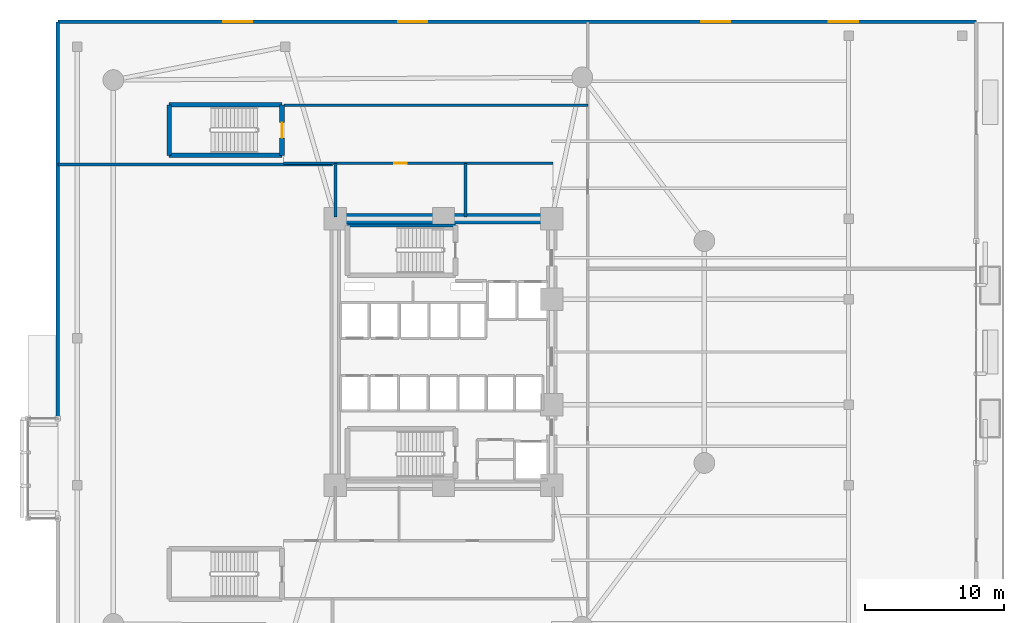
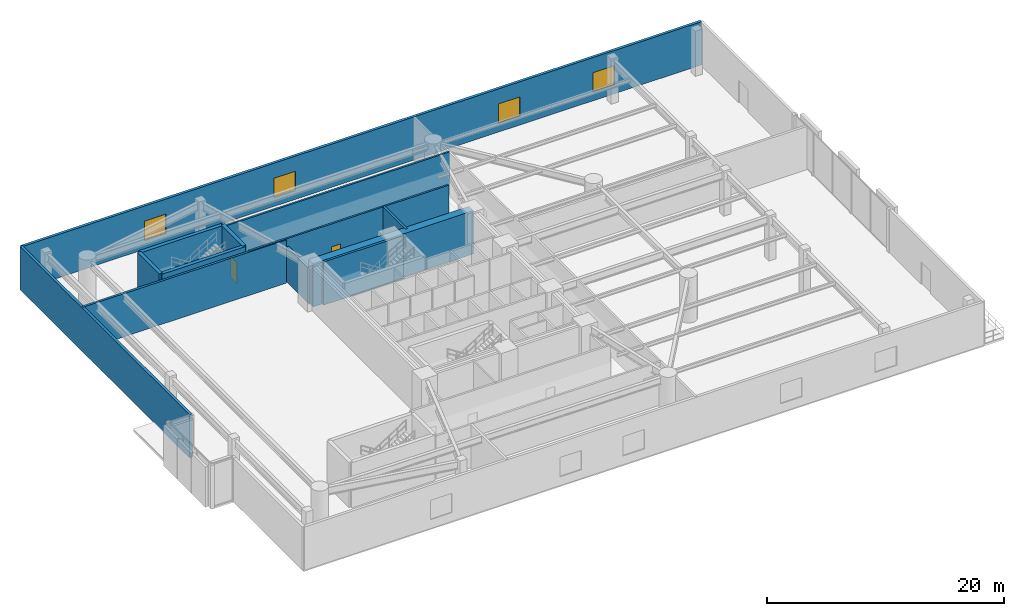
# One storey, part 11 of 15: 13 walls, 4 windows, 2 doors, 6 openings.
"""IFC4 building model written with IfcOpenShell, lengths in metres."""

from ifc_helpers import new_model, si_unit, direction, frame, frame_2d, origin, place, context, subcontext, project, spatial, rectangle, extrude, material, layer, layer_set, type_object, element, fill, save


model = new_model("IFC4")

# Units and contexts
model_context = context("Model", 3, precision=1e-05, world=origin(), true_north=direction((0.0, 1.0)))
body_context = subcontext(model_context, "Body", "Model", "MODEL_VIEW")
ifc_project = project(units=[si_unit("LENGTHUNIT", "METRE"), si_unit("AREAUNIT", "SQUARE_METRE"), si_unit("VOLUMEUNIT", "CUBIC_METRE"), si_unit("PLANEANGLEUNIT", "RADIAN"), si_unit("MASSUNIT", "GRAM", prefix="KILO")], contexts=[model_context])

# Site, building, storey
site_placement = place(None, origin())
site = spatial("IfcSite", under=ifc_project, at=site_placement, CompositionType="ELEMENT")
building_placement = place(site_placement, origin())
building = spatial("IfcBuilding", under=site, at=building_placement, Name="An Khanh Terracotta Commons", CompositionType="ELEMENT")
storey_placement = place(building_placement, frame((0.0, 0.0, 14.699951171875)))
storey = spatial("IfcBuildingStorey", under=building, at=storey_placement, Name="L04", CompositionType="ELEMENT", Elevation=14.699951171875)

# Wall
ifc_material_1 = material(Name="Concrete C70/85", Category="concrete")
ifc_layer_1 = layer(ifc_material_1, 0.75, Name="Concrete C70/85")
ifc_layer_set_1 = layer_set([ifc_layer_1], Name="Concrete C70/85")
wall_type_1 = type_object("IfcWallType", Name="WALL-CORE-750", PredefinedType="SHEAR", material=ifc_layer_set_1)
wall_1_placement = place(storey_placement, frame((21.60009765625, 33.60009765625, 0.0), z_axis=(0.0, 0.0, 1.0), x_axis=(1.0, 0.0, 0.0)))
element("IfcWall", 1, at=wall_1_placement, inside=storey, type_object=wall_type_1, Name="L04 Core Wall CWALL-L04-N", PredefinedType="SHEAR", context=body_context, shape_type="SweptSolid", body=[
    extrude(rectangle(XDim=15.599853515625, YDim=0.75, at=frame_2d((7.7998046875, 0.0))), origin(), (0.0, 0.0, 1.0), 4.449951171875),
])

# Wall, opening, door
ifc_material_2 = material(Name="Fire-Rated Gypsum Board on Steel Stud", Category="steel")
ifc_layer_2 = layer(ifc_material_2, 0.179931640625, Name="Fire-Rated Gypsum Board on Steel Stud")
ifc_layer_set_2 = layer_set([ifc_layer_2], Name="Fire-Rated Gypsum Board on Steel Stud")
wall_type_2 = type_object("IfcWallType", Name="WALL-CORR-180", PredefinedType="PARTITIONING", material=ifc_layer_set_2)
wall_2_placement = place(storey_placement, frame((17.85009765625, 37.60009765625, 0.0), z_axis=(0.0, 0.0, 1.0), x_axis=(1.0, 0.0, 0.0)))
wall_2 = element("IfcWall", 2, at=wall_2_placement, inside=storey, type_object=wall_type_2, Name="L04 Interior Partition IW-L04-E005", PredefinedType="PARTITIONING", context=body_context, shape_type="SweptSolid", body=[
    extrude(rectangle(XDim=19.449951171875, YDim=0.179931640625, at=frame_2d((9.72509765625, 0.0))), origin(), (0.0, 0.0, 1.0), 4.449951171875),
])
opening_1_placement = place(wall_2_placement, frame((7.989990234375, 0.0, 0.0)))
opening_1 = element("IfcOpeningElement", 3, at=opening_1_placement, cuts=wall_2, Name="Opening D-RM", PredefinedType="OPENING", context=body_context, shape_type="SweptSolid", body=[
    extrude(rectangle(XDim=0.919921875, YDim=2.10009765625, at=frame_2d((0.4599609375, 1.050048828125))), frame((0.0, 0.099853515625, 0.0), z_axis=(0.0, -1.0, 0.0), x_axis=(1.0, 0.0, 0.0)), (0.0, 0.0, 1.0), 0.199951171875),
])
ifc_material_3 = material(Name="Engineered Hardwood Timber Leaf", Category="wood")
door_type_1 = type_object("IfcDoorType", Name="DOOR-INT-920", OperationType="NOTDEFINED", PredefinedType="DOOR", material=ifc_material_3)
door_1_placement = place(opening_1_placement, origin())
door_1 = element("IfcDoor", 4, at=door_1_placement, inside=storey, type_object=door_type_1, Name="L04 STR Podium Equipment and Copy Store Door", OperationType="SINGLE_SWING_LEFT", OverallHeight=2.10009765625, OverallWidth=0.919921875, PredefinedType="DOOR", context=body_context, shape_type="SweptSolid", body=[
    extrude(rectangle(XDim=0.919921875, YDim=2.10009765625, at=frame_2d((0.4599609375, 1.050048828125))), frame((0.0, 0.02490234375, 0.0), z_axis=(0.0, -1.0, 0.0), x_axis=(1.0, 0.0, 0.0)), (0.0, 0.0, 1.0), 0.050048828125),
])
fill(opening_1, door_1)

# Walls
wall_3_placement = place(storey_placement, frame((17.889892578125, 41.800048828125, 0.0), z_axis=(0.0, 0.0, 1.0), x_axis=(1.0, 0.0, 0.0)))
element("IfcWall", 5, at=wall_3_placement, inside=storey, type_object=wall_type_2, Name="L04 Interior Partition IW-L04-E006", PredefinedType="PARTITIONING", context=body_context, shape_type="SweptSolid", body=[
    extrude(rectangle(XDim=21.91015625, YDim=0.179931640625, at=frame_2d((10.955078125, 0.0))), origin(), (0.0, 0.0, 1.0), 4.449951171875),
])
ifc_material_4 = material(Name="Acoustic Double-Stud Gypsum and Mineral Wool")
ifc_layer_3 = layer(ifc_material_4, 0.219970703125, Name="Acoustic Double-Stud Gypsum and Mineral Wool")
ifc_layer_set_3 = layer_set([ifc_layer_3], Name="Acoustic Double-Stud Gypsum and Mineral Wool")
wall_type_3 = type_object("IfcWallType", Name="WALL-PARTY-220", PredefinedType="PARTITIONING", material=ifc_layer_set_3)
wall_4_placement = place(storey_placement, frame((22.47998046875, 33.110107421875, 0.0), z_axis=(0.0, 0.0, 1.0), x_axis=(1.0, 0.0, 0.0)))
element("IfcWall", 6, at=wall_4_placement, inside=storey, type_object=wall_type_3, Name="L04 Core Wall STW-L04-N-N", PredefinedType="PARTITIONING", context=body_context, shape_type="SweptSolid", body=[
    extrude(rectangle(XDim=7.7900390625, YDim=0.219970703125, at=frame_2d((3.89501953125, 0.0))), origin(), (0.0, 0.0, 1.0), 4.449951171875),
])
wall_5_placement = place(storey_placement, frame((1.60009765625, 37.5, 0.0), z_axis=(0.0, 0.0, 1.0), x_axis=(1.0, 0.0, 0.0)))
element("IfcWall", 7, at=wall_5_placement, inside=storey, type_object=wall_type_3, Name="L04 Interior Partition IW-L04-E004", PredefinedType="PARTITIONING", context=body_context, shape_type="SweptSolid", body=[
    extrude(rectangle(XDim=19.7998046875, YDim=0.219970703125, at=frame_2d((9.89990234375, 0.0))), origin(), (0.0, 0.0, 1.0), 4.449951171875),
])
wall_6_placement = place(storey_placement, frame((21.60009765625, 33.719970703125, 0.0), z_axis=(0.0, 0.0, 1.0), x_axis=(0.0, 1.0, 0.0)))
element("IfcWall", 8, at=wall_6_placement, inside=storey, type_object=wall_type_3, Name="L04 Interior Partition IW-L04-E009", PredefinedType="PARTITIONING", context=body_context, shape_type="SweptSolid", body=[
    extrude(rectangle(XDim=3.880126953125, YDim=0.219970703125, at=frame_2d((1.93994140625, 0.0))), origin(), (0.0, 0.0, 1.0), 3.632080078125),
])
wall_7_placement = place(storey_placement, frame((31.0, 33.719970703125, 0.0), z_axis=(0.0, 0.0, 1.0), x_axis=(0.0, 1.0, 0.0)))
element("IfcWall", 9, at=wall_7_placement, inside=storey, type_object=wall_type_3, Name="L04 Interior Partition IW-L04-E011", PredefinedType="PARTITIONING", context=body_context, shape_type="SweptSolid", body=[
    extrude(rectangle(XDim=3.880126953125, YDim=0.219970703125, at=frame_2d((1.93994140625, 0.0))), origin(), (0.0, 0.0, 1.0), 4.449951171875),
])

# Wall, openings, windows
ifc_material_5 = material(Name="Concrete C40/50", Category="concrete")
ifc_layer_4 = layer(ifc_material_5, 0.260009765625, Name="Concrete C40/50")
ifc_layer_set_4 = layer_set([ifc_layer_4], Name="Concrete C40/50")
wall_type_4 = type_object("IfcWallType", Name="WALL-POD-260", PredefinedType="SOLIDWALL", material=ifc_layer_set_4)
wall_8_placement = place(storey_placement, frame((1.60009765625, 47.800048828125, 0.0), z_axis=(0.0, 0.0, 1.0), x_axis=(1.0, 0.0, 0.0)))
wall_8 = element("IfcWall", 10, at=wall_8_placement, inside=storey, type_object=wall_type_4, Name="L04 North Exterior Wall", PredefinedType="SOLIDWALL", context=body_context, shape_type="SweptSolid", body=[
    extrude(rectangle(XDim=66.199951171875, YDim=0.260009765625, at=frame_2d((33.10009765625, 0.0))), origin(), (0.0, 0.0, 1.0), 4.449951171875),
])
opening_2_placement = place(wall_8_placement, frame((11.9169921875, 0.0, 0.89990234375)))
opening_2 = element("IfcOpeningElement", 11, at=opening_2_placement, cuts=wall_8, Name="Opening W-09", PredefinedType="OPENING", context=body_context, shape_type="SweptSolid", body=[
    extrude(rectangle(XDim=2.10009765625, YDim=2.0, at=frame_2d((1.050048828125, 1.0))), frame((0.0, 0.139892578125, 0.0), z_axis=(0.0, -1.0, 0.0), x_axis=(1.0, 0.0, 0.0)), (0.0, 0.0, 1.0), 0.280029296875),
])
opening_3_placement = place(wall_8_placement, frame((24.532958984375, 0.0, 0.89990234375)))
opening_3 = element("IfcOpeningElement", 12, at=opening_3_placement, cuts=wall_8, Name="Opening W-09", PredefinedType="OPENING", context=body_context, shape_type="SweptSolid", body=[
    extrude(rectangle(XDim=2.10009765625, YDim=2.0, at=frame_2d((1.050048828125, 1.0))), frame((0.0, 0.139892578125, 0.0), z_axis=(0.0, -1.0, 0.0), x_axis=(1.0, 0.0, 0.0)), (0.0, 0.0, 1.0), 0.280029296875),
])
opening_4_placement = place(wall_8_placement, frame((46.366943359375, 0.0, 0.89990234375)))
opening_4 = element("IfcOpeningElement", 13, at=opening_4_placement, cuts=wall_8, Name="Opening W-09", PredefinedType="OPENING", context=body_context, shape_type="SweptSolid", body=[
    extrude(rectangle(XDim=2.10009765625, YDim=2.0, at=frame_2d((1.050048828125, 1.0))), frame((0.0, 0.139892578125, 0.0), z_axis=(0.0, -1.0, 0.0), x_axis=(1.0, 0.0, 0.0)), (0.0, 0.0, 1.0), 0.280029296875),
])
opening_5_placement = place(wall_8_placement, frame((55.5830078125, 0.0, 0.89990234375)))
opening_5 = element("IfcOpeningElement", 14, at=opening_5_placement, cuts=wall_8, Name="Opening W-09", PredefinedType="OPENING", context=body_context, shape_type="SweptSolid", body=[
    extrude(rectangle(XDim=2.10009765625, YDim=2.0, at=frame_2d((1.050048828125, 1.0))), frame((0.0, 0.139892578125, 0.0), z_axis=(0.0, -1.0, 0.0), x_axis=(1.0, 0.0, 0.0)), (0.0, 0.0, 1.0), 0.280029296875),
])
ifc_material_6 = material(Name="Thermally Broken Aluminium and Low-E Glass", Category="aluminium")
window_type = type_object("IfcWindowType", Name="WIN-POD-2100x2000", PartitioningType="DOUBLE_PANEL_VERTICAL", PredefinedType="WINDOW", material=ifc_material_6)
window_1_placement = place(opening_2_placement, origin())
window_1 = element("IfcWindow", 15, at=window_1_placement, inside=storey, type_object=window_type, Name="L04 North Podium Window 1", OverallHeight=2.0, OverallWidth=2.10009765625, PartitioningType="DOUBLE_PANEL_VERTICAL", PredefinedType="WINDOW", context=body_context, shape_type="SweptSolid", body=[
    extrude(rectangle(XDim=2.10009765625, YDim=2.0, at=frame_2d((1.050048828125, 1.0))), frame((0.0, 0.030029296875, 0.0), z_axis=(0.0, -1.0, 0.0), x_axis=(1.0, 0.0, 0.0)), (0.0, 0.0, 1.0), 0.06005859375),
])
fill(opening_2, window_1)
window_2_placement = place(opening_3_placement, origin())
window_2 = element("IfcWindow", 16, at=window_2_placement, inside=storey, type_object=window_type, Name="L04 North Podium Window 2", OverallHeight=2.0, OverallWidth=2.10009765625, PartitioningType="DOUBLE_PANEL_VERTICAL", PredefinedType="WINDOW", context=body_context, shape_type="SweptSolid", body=[
    extrude(rectangle(XDim=2.10009765625, YDim=2.0, at=frame_2d((1.050048828125, 1.0))), frame((0.0, 0.030029296875, 0.0), z_axis=(0.0, -1.0, 0.0), x_axis=(1.0, 0.0, 0.0)), (0.0, 0.0, 1.0), 0.06005859375),
])
fill(opening_3, window_2)
window_3_placement = place(opening_4_placement, origin())
window_3 = element("IfcWindow", 17, at=window_3_placement, inside=storey, type_object=window_type, Name="L04 North Podium Window 3", OverallHeight=2.0, OverallWidth=2.10009765625, PartitioningType="DOUBLE_PANEL_VERTICAL", PredefinedType="WINDOW", context=body_context, shape_type="SweptSolid", body=[
    extrude(rectangle(XDim=2.10009765625, YDim=2.0, at=frame_2d((1.050048828125, 1.0))), frame((0.0, 0.030029296875, 0.0), z_axis=(0.0, -1.0, 0.0), x_axis=(1.0, 0.0, 0.0)), (0.0, 0.0, 1.0), 0.06005859375),
])
fill(opening_4, window_3)
window_4_placement = place(opening_5_placement, origin())
window_4 = element("IfcWindow", 18, at=window_4_placement, inside=storey, type_object=window_type, Name="L04 North Podium Window 4", OverallHeight=2.0, OverallWidth=2.10009765625, PartitioningType="DOUBLE_PANEL_VERTICAL", PredefinedType="WINDOW", context=body_context, shape_type="SweptSolid", body=[
    extrude(rectangle(XDim=2.10009765625, YDim=2.0, at=frame_2d((1.050048828125, 1.0))), frame((0.0, 0.030029296875, 0.0), z_axis=(0.0, -1.0, 0.0), x_axis=(1.0, 0.0, 0.0)), (0.0, 0.0, 1.0), 0.06005859375),
])
fill(opening_5, window_4)

# Walls
wall_9_placement = place(storey_placement, frame((1.60009765625, 19.199951171875, 0.0), z_axis=(0.0, 0.0, 1.0), x_axis=(0.0, 1.0, 0.0)))
element("IfcWall", 19, at=wall_9_placement, inside=storey, type_object=wall_type_4, Name="L04 West Exterior Wall North", PredefinedType="SOLIDWALL", context=body_context, shape_type="SweptSolid", body=[
    extrude(rectangle(XDim=28.60009765625, YDim=0.260009765625, at=frame_2d((14.300048828125, 0.0))), origin(), (0.0, 0.0, 1.0), 4.449951171875),
])
ifc_material_7 = material(Name="Concrete C50/60", Category="concrete")
ifc_layer_5 = layer(ifc_material_7, 0.35009765625, Name="Concrete C50/60")
ifc_layer_set_5 = layer_set([ifc_layer_5], Name="Concrete C50/60")
wall_type_5 = type_object("IfcWallType", Name="WALL-SHAFT-350", PredefinedType="SOLIDWALL", material=ifc_layer_set_5)
wall_10_placement = place(storey_placement, frame((9.6298828125, 38.179931640625, 0.0), z_axis=(0.0, 0.0, 1.0), x_axis=(0.0, 1.0, 0.0)))
element("IfcWall", 20, at=wall_10_placement, inside=storey, type_object=wall_type_5, Name="L04 Podium Stair ST-P2 W Wall", PredefinedType="SOLIDWALL", context=body_context, shape_type="SweptSolid", body=[
    extrude(rectangle(XDim=3.64013671875, YDim=0.35009765625, at=frame_2d((1.820068359375, 0.0))), origin(), (0.0, 0.0, 1.0), 4.650146484375),
])
for number, where, z_axis, x_axis, name in (
    (21, (9.6298828125, 41.820068359375, 0.0), (0.0, 0.0, 1.0), (1.0, 0.0, 0.0), "L04 Podium Stair ST-P2 N Wall"),
    (22, (17.77001953125, 38.179931640625, 0.0), (0.0, 0.0, 1.0), (-1.0, 0.0, 0.0), "L04 Podium Stair ST-P2 S Wall"),
):
    element("IfcWall", number, at=place(storey_placement, frame(where, z_axis=z_axis, x_axis=x_axis)), inside=storey, type_object=wall_type_5, Name=name, PredefinedType="SOLIDWALL", context=body_context, shape_type="SweptSolid", body=[
        extrude(rectangle(XDim=8.14013671875, YDim=0.35009765625, at=frame_2d((4.070068359375, 0.0))), origin(), (0.0, 0.0, 1.0), 4.650146484375),
    ])

# Wall, opening, door
wall_11_placement = place(storey_placement, frame((17.77001953125, 38.179931640625, 0.0), z_axis=(0.0, 0.0, 1.0), x_axis=(0.0, 1.0, 0.0)))
wall_11 = element("IfcWall", 23, at=wall_11_placement, inside=storey, type_object=wall_type_5, Name="L04 Podium Stair ST-P2 E Wall", PredefinedType="SOLIDWALL", context=body_context, shape_type="SweptSolid", body=[
    extrude(rectangle(XDim=3.64013671875, YDim=0.35009765625, at=frame_2d((1.820068359375, 0.0))), origin(), (0.0, 0.0, 1.0), 4.650146484375),
])
opening_6_placement = place(wall_11_placement, frame((1.25, 0.0, 0.0)))
opening_6 = element("IfcOpeningElement", 24, at=opening_6_placement, cuts=wall_11, Name="Opening D-ST", PredefinedType="OPENING", context=body_context, shape_type="SweptSolid", body=[
    extrude(rectangle(XDim=1.10009765625, YDim=2.14990234375, at=frame_2d((0.550048828125, 1.074951171875))), frame((0.0, 0.18505859375, 0.0), z_axis=(0.0, -1.0, 0.0), x_axis=(1.0, 0.0, 0.0)), (0.0, 0.0, 1.0), 0.3701171875),
])
ifc_material_8 = material(Name="Fire-Rated Steel Leaf and Frame", Category="steel")
door_type_2 = type_object("IfcDoorType", Name="DOOR-STAIR-1100", OperationType="NOTDEFINED", PredefinedType="DOOR", material=ifc_material_8)
door_2_placement = place(opening_6_placement, origin())
door_2 = element("IfcDoor", 25, at=door_2_placement, inside=storey, type_object=door_type_2, Name="L04 Podium Stair ST-P2 Fire Door", OperationType="SINGLE_SWING_RIGHT", OverallHeight=2.14990234375, OverallWidth=1.10009765625, PredefinedType="DOOR", context=body_context, shape_type="SweptSolid", body=[
    extrude(rectangle(XDim=1.10009765625, YDim=2.14990234375, at=frame_2d((0.550048828125, 1.074951171875))), frame((0.0, 0.02490234375, 0.0), z_axis=(0.0, -1.0, 0.0), x_axis=(1.0, 0.0, 0.0)), (0.0, 0.0, 1.0), 0.050048828125),
])
fill(opening_6, door_2)

save(model, "model.ifc")
